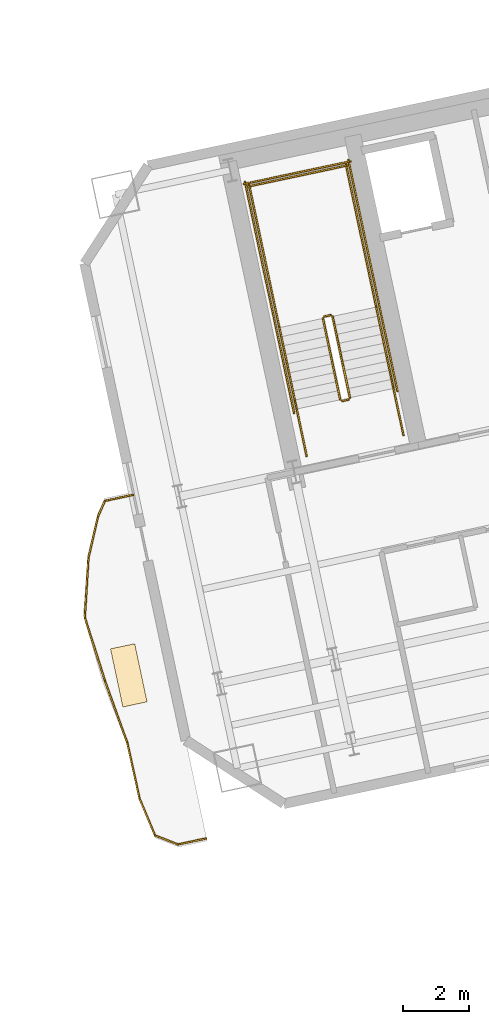
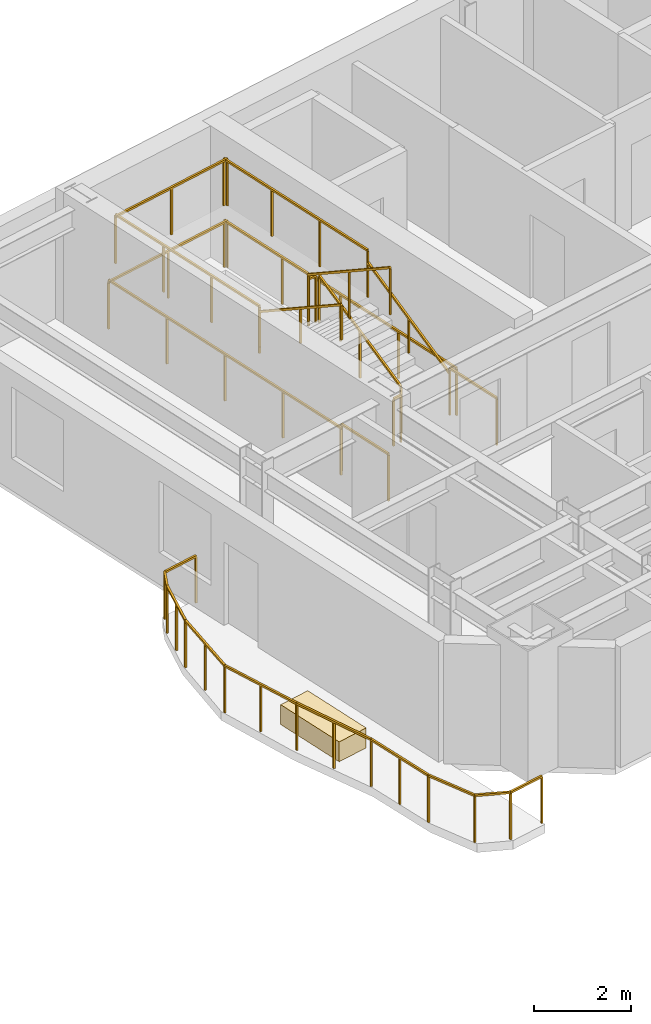
# One storey, part 12 of 13: 24 railings, 1 covering.
"""IFC4 building model written with IfcOpenShell, lengths in metres."""

from ifc_helpers import new_model, si_unit, direction, frame, origin, origin_2d, place, context, subcontext, project, spatial, rectangle, extrude, material, layer, layer_set, type_object, element, save


model = new_model("IFC4")

# Units and contexts
model_context = context("Model", 3, precision=1e-05, world=origin(), true_north=direction((0.0, 1.0)))
body_context = subcontext(model_context, "Body", "Model", "MODEL_VIEW")
ifc_project = project(units=[si_unit("LENGTHUNIT", "METRE"), si_unit("AREAUNIT", "SQUARE_METRE"), si_unit("VOLUMEUNIT", "CUBIC_METRE"), si_unit("PLANEANGLEUNIT", "RADIAN"), si_unit("MASSUNIT", "GRAM", prefix="KILO")], contexts=[model_context])

# Site, building, storey
site_placement = place(None, origin())
site = spatial("IfcSite", under=ifc_project, at=site_placement, CompositionType="ELEMENT")
building_placement = place(site_placement, origin())
building = spatial("IfcBuilding", under=site, at=building_placement, Name="Haevon Station Towers", CompositionType="ELEMENT")
storey_placement = place(building_placement, frame((0.0, 0.0, 182.39990234375)))
storey = spatial("IfcBuildingStorey", under=building, at=storey_placement, Name="L50", CompositionType="ELEMENT", Elevation=182.39990234375)

# Railings
ifc_material_1 = material(Name="Steel S355", Category="steel")
railing_type_1 = type_object("IfcRailingType", Name="GRD-EXT1200", PredefinedType="GUARDRAIL", material=ifc_material_1)
railing_1_placement = place(storey_placement, frame((93.866455078125, 36.74853515625, 0.0)))
element("IfcRailing", 1, at=railing_1_placement, inside=storey, type_object=railing_type_1, Name="L50 Perimeter Guardrail 1", PredefinedType="GUARDRAIL", context=body_context, shape_type="SweptSolid", body=[
    extrude(rectangle(XDim=0.048095703125, YDim=0.048095703125, at=origin_2d()), frame((0.0, 0.0, 1.17578125), z_axis=(-0.977695451476, -0.210027627141, 0.0), x_axis=(0.210027627141, -0.977695451476, 0.0)), (0.0, 0.0, 1.0), 0.869384765625),
    extrude(rectangle(XDim=0.0419921875, YDim=0.0419921875, at=origin_2d()), origin(), (0.0, 0.0, 1.0), 1.15185546875),
    extrude(rectangle(XDim=0.0419921875, YDim=0.0419921875, at=origin_2d()), frame((-0.85009765625, -0.1826171875, 0.0)), (0.0, 0.0, 1.0), 1.15185546875),
])
railing_2_placement = place(storey_placement, frame((93.016357421875, 36.56591796875, 0.0)))
element("IfcRailing", 2, at=railing_2_placement, inside=storey, type_object=railing_type_1, Name="L50 Perimeter Guardrail 2", PredefinedType="GUARDRAIL", context=body_context, shape_type="SweptSolid", body=[
    extrude(rectangle(XDim=0.048095703125, YDim=0.048095703125, at=origin_2d()), frame((0.0, 0.0, 1.17578125), z_axis=(-0.406806804169, -0.913514216683, 0.0), x_axis=(0.913514216683, -0.406806804169, 0.0)), (0.0, 0.0, 1.0), 0.50830078125),
    extrude(rectangle(XDim=0.0419921875, YDim=0.0419921875, at=origin_2d()), origin(), (0.0, 0.0, 1.0), 1.15185546875),
    extrude(rectangle(XDim=0.0419921875, YDim=0.0419921875, at=origin_2d()), frame((-0.206787109375, -0.46435546875, 0.0)), (0.0, 0.0, 1.0), 1.15185546875),
])
railing_3_placement = place(storey_placement, frame((92.8095703125, 36.1015625, 0.0)))
element("IfcRailing", 3, at=railing_3_placement, inside=storey, type_object=railing_type_1, Name="L50 Perimeter Guardrail 3", PredefinedType="GUARDRAIL", context=body_context, shape_type="SweptSolid", body=[
    extrude(rectangle(XDim=0.048095703125, YDim=0.048095703125, at=origin_2d()), frame((0.0, 0.0, 1.17578125), z_axis=(-0.225867086442, -0.974158128469, 0.0), x_axis=(0.974158128469, -0.225867086442, 0.0)), (0.0, 0.0, 1.0), 1.291748046875),
    extrude(rectangle(XDim=0.0419921875, YDim=0.0419921875, at=origin_2d()), origin(), (0.0, 0.0, 1.0), 1.15185546875),
    extrude(rectangle(XDim=0.0419921875, YDim=0.0419921875, at=origin_2d()), frame((-0.14599609375, -0.629150390625, 0.0)), (0.0, 0.0, 1.0), 1.15185546875),
    extrude(rectangle(XDim=0.0419921875, YDim=0.0419921875, at=origin_2d()), frame((-0.291748046875, -1.25830078125, 0.0)), (0.0, 0.0, 1.0), 1.15185546875),
])
railing_4_placement = place(storey_placement, frame((92.517822265625, 34.84326171875, 0.0)))
element("IfcRailing", 4, at=railing_4_placement, inside=storey, type_object=railing_type_1, Name="L50 Perimeter Guardrail 4", PredefinedType="GUARDRAIL", context=body_context, shape_type="SweptSolid", body=[
    extrude(rectangle(XDim=0.048095703125, YDim=0.048095703125, at=origin_2d()), frame((0.0, 0.0, 1.17578125), z_axis=(-0.060153002189, -0.998189168609, 0.0), x_axis=(0.998189168609, -0.060153002189, 0.0)), (0.0, 0.0, 1.0), 1.81005859375),
    extrude(rectangle(XDim=0.0419921875, YDim=0.0419921875, at=origin_2d()), origin(), (0.0, 0.0, 1.0), 1.15185546875),
    extrude(rectangle(XDim=0.0419921875, YDim=0.0419921875, at=origin_2d()), frame((-0.054443359375, -0.9033203125, 0.0)), (0.0, 0.0, 1.0), 1.15185546875),
    extrude(rectangle(XDim=0.0419921875, YDim=0.0419921875, at=origin_2d()), frame((-0.10888671875, -1.806884765625, 0.0)), (0.0, 0.0, 1.0), 1.15185546875),
])
railing_5_placement = place(storey_placement, frame((92.408935546875, 33.036376953125, 0.0)))
element("IfcRailing", 5, at=railing_5_placement, inside=storey, type_object=railing_type_1, Name="L50 Perimeter Guardrail 5", PredefinedType="GUARDRAIL", context=body_context, shape_type="SweptSolid", body=[
    extrude(rectangle(XDim=0.048095703125, YDim=0.048095703125, at=origin_2d()), frame((0.0, 0.0, 1.17578125), z_axis=(0.302524668593, -0.953141555538, 0.0), x_axis=(0.953141555538, 0.302524668593, 0.0)), (0.0, 0.0, 1.0), 2.00390625),
    extrude(rectangle(XDim=0.0419921875, YDim=0.0419921875, at=origin_2d()), origin(), (0.0, 0.0, 1.0), 1.15185546875),
    extrude(rectangle(XDim=0.0419921875, YDim=0.0419921875, at=origin_2d()), frame((0.30322265625, -0.955078125, 0.0)), (0.0, 0.0, 1.0), 1.15185546875),
    extrude(rectangle(XDim=0.0419921875, YDim=0.0419921875, at=origin_2d()), frame((0.606201171875, -1.909912109375, 0.0)), (0.0, 0.0, 1.0), 1.15185546875),
])
railing_6_placement = place(storey_placement, frame((93.01513671875, 31.12646484375, 0.0)))
element("IfcRailing", 6, at=railing_6_placement, inside=storey, type_object=railing_type_1, Name="L50 Perimeter Guardrail 6", PredefinedType="GUARDRAIL", context=body_context, shape_type="SweptSolid", body=[
    extrude(rectangle(XDim=0.048095703125, YDim=0.048095703125, at=origin_2d()), frame((0.0, 0.0, 1.17578125), z_axis=(0.339339589496, -0.940663937334, 0.0), x_axis=(0.940663937334, 0.339339589496, 0.0)), (0.0, 0.0, 1.0), 2.00732421875),
    extrude(rectangle(XDim=0.0419921875, YDim=0.0419921875, at=origin_2d()), origin(), (0.0, 0.0, 1.0), 1.15185546875),
    extrude(rectangle(XDim=0.0419921875, YDim=0.0419921875, at=origin_2d()), frame((0.340576171875, -0.944091796875, 0.0)), (0.0, 0.0, 1.0), 1.15185546875),
    extrude(rectangle(XDim=0.0419921875, YDim=0.0419921875, at=origin_2d()), frame((0.68115234375, -1.88818359375, 0.0)), (0.0, 0.0, 1.0), 1.15185546875),
])
railing_7_placement = place(storey_placement, frame((93.6962890625, 29.23828125, 0.0)))
element("IfcRailing", 7, at=railing_7_placement, inside=storey, type_object=railing_type_1, Name="L50 Perimeter Guardrail 7", PredefinedType="GUARDRAIL", context=body_context, shape_type="SweptSolid", body=[
    extrude(rectangle(XDim=0.048095703125, YDim=0.048095703125, at=origin_2d()), frame((0.0, 0.0, 1.17578125), z_axis=(0.215069312973, -0.976598786922, 0.0), x_axis=(0.976598786922, 0.215069312973, 0.0)), (0.0, 0.0, 1.0), 1.75048828125),
    extrude(rectangle(XDim=0.0419921875, YDim=0.0419921875, at=origin_2d()), origin(), (0.0, 0.0, 1.0), 1.15185546875),
    extrude(rectangle(XDim=0.0419921875, YDim=0.0419921875, at=origin_2d()), frame((0.188232421875, -0.854736328125, 0.0)), (0.0, 0.0, 1.0), 1.15185546875),
    extrude(rectangle(XDim=0.0419921875, YDim=0.0419921875, at=origin_2d()), frame((0.37646484375, -1.70947265625, 0.0)), (0.0, 0.0, 1.0), 1.15185546875),
])
railing_8_placement = place(storey_placement, frame((94.07275390625, 27.52880859375, 0.0)))
element("IfcRailing", 8, at=railing_8_placement, inside=storey, type_object=railing_type_1, Name="L50 Perimeter Guardrail 8", PredefinedType="GUARDRAIL", context=body_context, shape_type="SweptSolid", body=[
    extrude(rectangle(XDim=0.048095703125, YDim=0.048095703125, at=origin_2d()), frame((0.0, 0.0, 1.17578125), z_axis=(0.389860525795, -0.920873916683, 0.0), x_axis=(0.920873916683, 0.389860525795, 0.0)), (0.0, 0.0, 1.0), 1.191650390625),
    extrude(rectangle(XDim=0.0419921875, YDim=0.0419921875, at=origin_2d()), origin(), (0.0, 0.0, 1.0), 1.15185546875),
    extrude(rectangle(XDim=0.0419921875, YDim=0.0419921875, at=origin_2d()), frame((0.464599609375, -1.097412109375, 0.0)), (0.0, 0.0, 1.0), 1.15185546875),
])
railing_9_placement = place(storey_placement, frame((94.537353515625, 26.431396484375, 0.0)))
element("IfcRailing", 9, at=railing_9_placement, inside=storey, type_object=railing_type_1, Name="L50 Perimeter Guardrail 9", PredefinedType="GUARDRAIL", context=body_context, shape_type="SweptSolid", body=[
    extrude(rectangle(XDim=0.048095703125, YDim=0.048095703125, at=origin_2d()), frame((0.0, 0.0, 1.17578125), z_axis=(0.929918939499, -0.367764552344, 0.0), x_axis=(0.367764552344, 0.929918939499, 0.0)), (0.0, 0.0, 1.0), 0.743408203125),
    extrude(rectangle(XDim=0.0419921875, YDim=0.0419921875, at=origin_2d()), origin(), (0.0, 0.0, 1.0), 1.15185546875),
    extrude(rectangle(XDim=0.0419921875, YDim=0.0419921875, at=origin_2d()), frame((0.69140625, -0.2734375, 0.0)), (0.0, 0.0, 1.0), 1.15185546875),
])
railing_10_placement = place(storey_placement, frame((95.228759765625, 26.157958984375, 0.0)))
element("IfcRailing", 10, at=railing_10_placement, inside=storey, type_object=railing_type_1, Name="L50 Perimeter Guardrail 10", PredefinedType="GUARDRAIL", context=body_context, shape_type="SweptSolid", body=[
    extrude(rectangle(XDim=0.048095703125, YDim=0.048095703125, at=origin_2d()), frame((0.0, 0.0, 1.17578125), z_axis=(0.978588498747, 0.205826504901, 0.0), x_axis=(-0.205826504901, 0.978588498747, 0.0)), (0.0, 0.0, 1.0), 0.869384765625),
    extrude(rectangle(XDim=0.0419921875, YDim=0.0419921875, at=origin_2d()), origin(), (0.0, 0.0, 1.0), 1.15185546875),
    extrude(rectangle(XDim=0.0419921875, YDim=0.0419921875, at=origin_2d()), frame((0.850830078125, 0.178955078125, 0.0)), (0.0, 0.0, 1.0), 1.15185546875),
])
railing_type_2 = type_object("IfcRailingType", Name="GRD-STR1200", PredefinedType="GUARDRAIL", material=ifc_material_1)
railing_11_placement = place(storey_placement, frame((100.44140625, 39.69287109375, 0.1650390625)))
element("IfcRailing", 11, at=railing_11_placement, inside=storey, type_object=railing_type_2, Name="L50 ST3 Stair Guard 1", PredefinedType="GUARDRAIL", context=body_context, shape_type="SweptSolid", body=[
    extrude(rectangle(XDim=0.048095703125, YDim=0.048095703125, at=origin_2d()), frame((0.0, 0.0, 1.17578125), z_axis=(-0.179121265225, 0.842687928106, 0.507732831485), x_axis=(-0.978147030254, -0.207914374695, 0.0)), (0.0, 0.0, 1.0), 2.925048828125),
    extrude(rectangle(XDim=0.0419921875, YDim=0.0419921875, at=origin_2d()), origin(), (0.0, 0.0, 1.0), 1.15185546875),
    extrude(rectangle(XDim=0.0419921875, YDim=0.0419921875, at=origin_2d()), frame((-0.261962890625, 1.232421875, 0.74267578125)), (0.0, 0.0, 1.0), 1.15185546875),
    extrude(rectangle(XDim=0.0419921875, YDim=0.0419921875, at=origin_2d()), frame((-0.52392578125, 2.46484375, 1.485107421875)), (0.0, 0.0, 1.0), 1.15185546875),
])
railing_12_placement = place(storey_placement, frame((99.858154296875, 42.1962890625, 1.650146484375)))
element("IfcRailing", 12, at=railing_12_placement, inside=storey, type_object=railing_type_2, Name="L50 ST3 Stair Guard 2", PredefinedType="GUARDRAIL", context=body_context, shape_type="SweptSolid", body=[
    extrude(rectangle(XDim=0.048095703125, YDim=0.048095703125, at=origin_2d()), frame((0.0, 0.0, 1.17578125), z_axis=(-0.977962931203, -0.208778603291, 0.0), x_axis=(0.208778603291, -0.977962931203, 0.0)), (0.0, 0.0, 1.0), 0.199951171875),
    extrude(rectangle(XDim=0.0419921875, YDim=0.0419921875, at=origin_2d()), origin(), (0.0, 0.0, 1.0), 1.15185546875),
    extrude(rectangle(XDim=0.0419921875, YDim=0.0419921875, at=origin_2d()), frame((-0.195556640625, -0.041748046875, 0.0)), (0.0, 0.0, 1.0), 1.15185546875),
])
railing_13_placement = place(storey_placement, frame((101.238037109375, 42.4384765625, 1.650146484375)))
element("IfcRailing", 13, at=railing_13_placement, inside=storey, type_object=railing_type_2, Name="L50 ST3 Stair Guard 3", PredefinedType="GUARDRAIL", context=body_context, shape_type="SweptSolid", body=[
    extrude(rectangle(XDim=0.048095703125, YDim=0.048095703125, at=origin_2d()), frame((0.0, 0.0, 1.17578125), z_axis=(-0.20794048909, 0.978141479029, 0.0), x_axis=(-0.978141479029, -0.20794048909, 0.0)), (0.0, 0.0, 1.0), 4.429931640625),
    extrude(rectangle(XDim=0.0419921875, YDim=0.0419921875, at=origin_2d()), origin(), (0.0, 0.0, 1.0), 1.15185546875),
    extrude(rectangle(XDim=0.0419921875, YDim=0.0419921875, at=origin_2d()), frame((-0.30712890625, 1.4443359375, 0.0)), (0.0, 0.0, 1.0), 1.15185546875),
    extrude(rectangle(XDim=0.0419921875, YDim=0.0419921875, at=origin_2d()), frame((-0.614013671875, 2.888671875, 0.0)), (0.0, 0.0, 1.0), 1.15185546875),
    extrude(rectangle(XDim=0.0419921875, YDim=0.0419921875, at=origin_2d()), frame((-0.921142578125, 4.3330078125, 0.0)), (0.0, 0.0, 1.0), 1.15185546875),
])
railing_14_placement = place(storey_placement, frame((98.303466796875, 41.814697265625, 1.650146484375)))
element("IfcRailing", 14, at=railing_14_placement, inside=storey, type_object=railing_type_2, Name="L50 ST3 Stair Guard 4", PredefinedType="GUARDRAIL", context=body_context, shape_type="SweptSolid", body=[
    extrude(rectangle(XDim=0.048095703125, YDim=0.048095703125, at=origin_2d()), frame((0.0, 0.0, 1.17578125), z_axis=(-0.207876551949, 0.978155069071, 0.0), x_axis=(-0.978155069071, -0.207876551949, 0.0)), (0.0, 0.0, 1.0), 4.429931640625),
    extrude(rectangle(XDim=0.0419921875, YDim=0.0419921875, at=origin_2d()), origin(), (0.0, 0.0, 1.0), 1.15185546875),
    extrude(rectangle(XDim=0.0419921875, YDim=0.0419921875, at=origin_2d()), frame((-0.306884765625, 1.4443359375, 0.0)), (0.0, 0.0, 1.0), 1.15185546875),
    extrude(rectangle(XDim=0.0419921875, YDim=0.0419921875, at=origin_2d()), frame((-0.614013671875, 2.888916015625, 0.0)), (0.0, 0.0, 1.0), 1.15185546875),
    extrude(rectangle(XDim=0.0419921875, YDim=0.0419921875, at=origin_2d()), frame((-0.9208984375, 4.333251953125, 0.0)), (0.0, 0.0, 1.0), 1.15185546875),
])
railing_15_placement = place(storey_placement, frame((100.376220703125, 46.733154296875, 1.650146484375)))
element("IfcRailing", 15, at=railing_15_placement, inside=storey, type_object=railing_type_2, Name="L50 ST3 Stair Guard 5", PredefinedType="GUARDRAIL", context=body_context, shape_type="SweptSolid", body=[
    extrude(rectangle(XDim=0.048095703125, YDim=0.048095703125, at=origin_2d()), frame((0.0, 0.0, 1.17578125), z_axis=(-0.978146839882, -0.207915270313, 0.0), x_axis=(0.207915270313, -0.978146839882, 0.0)), (0.0, 0.0, 1.0), 3.099853515625),
    extrude(rectangle(XDim=0.0419921875, YDim=0.0419921875, at=origin_2d()), origin(), (0.0, 0.0, 1.0), 1.15185546875),
    extrude(rectangle(XDim=0.0419921875, YDim=0.0419921875, at=origin_2d()), frame((-1.51611328125, -0.322265625, 0.0)), (0.0, 0.0, 1.0), 1.15185546875),
    extrude(rectangle(XDim=0.0419921875, YDim=0.0419921875, at=origin_2d()), frame((-3.0322265625, -0.64453125, 0.0)), (0.0, 0.0, 1.0), 1.15185546875),
])
railing_16_placement = place(storey_placement, frame((99.6240234375, 42.09521484375, 1.815185546875)))
element("IfcRailing", 16, at=railing_16_placement, inside=storey, type_object=railing_type_2, Name="L50 ST3 Stair Guard 6", PredefinedType="GUARDRAIL", context=body_context, shape_type="SweptSolid", body=[
    extrude(rectangle(XDim=0.048095703125, YDim=0.048095703125, at=origin_2d()), frame((0.0, 0.0, 1.17578125), z_axis=(0.179128856099, -0.842723639875, 0.507670877349), x_axis=(0.978147030254, 0.207914374695, 0.0)), (0.0, 0.0, 1.0), 2.9248046875),
    extrude(rectangle(XDim=0.0419921875, YDim=0.0419921875, at=origin_2d()), origin(), (0.0, 0.0, 1.0), 1.15185546875),
    extrude(rectangle(XDim=0.0419921875, YDim=0.0419921875, at=origin_2d()), frame((0.261962890625, -1.232421875, 0.742431640625)), (0.0, 0.0, 1.0), 1.15185546875),
    extrude(rectangle(XDim=0.0419921875, YDim=0.0419921875, at=origin_2d()), frame((0.52392578125, -2.46484375, 1.48486328125)), (0.0, 0.0, 1.0), 1.15185546875),
])
railing_17_placement = place(storey_placement, frame((100.40283203125, 39.633544921875, 0.0)))
element("IfcRailing", 17, at=railing_17_placement, inside=storey, type_object=railing_type_2, Name="L50 ST3 Stair Guard 7", PredefinedType="GUARDRAIL", context=body_context, shape_type="SweptSolid", body=[
    extrude(rectangle(XDim=0.048095703125, YDim=0.048095703125, at=origin_2d()), frame((0.0, 0.0, 1.17578125), z_axis=(-0.977962931203, -0.208778603291, 0.0), x_axis=(0.208778603291, -0.977962931203, 0.0)), (0.0, 0.0, 1.0), 0.199951171875),
    extrude(rectangle(XDim=0.0419921875, YDim=0.0419921875, at=origin_2d()), origin(), (0.0, 0.0, 1.0), 1.15185546875),
    extrude(rectangle(XDim=0.0419921875, YDim=0.0419921875, at=origin_2d()), frame((-0.195556640625, -0.041748046875, 0.0)), (0.0, 0.0, 1.0), 1.15185546875),
])
for number, where, name in (
    (18, (102.0634765625, 38.55517578125, 0.0), "L50 ST3 Stair Guard 8"),
    (19, (99.12890625, 37.931396484375, 0.0), "L50 ST3 Stair Guard 9"),
):
    element("IfcRailing", number, at=place(storey_placement, frame(where)), inside=storey, type_object=railing_type_2, Name=name, PredefinedType="GUARDRAIL", context=body_context, shape_type="SweptSolid", body=[
        extrude(rectangle(XDim=0.048095703125, YDim=0.048095703125, at=origin_2d()), frame((0.0, 0.0, 1.17578125), z_axis=(-0.207953405961, 0.978138732977, 0.0), x_axis=(-0.978138732977, -0.207953405961, 0.0)), (0.0, 0.0, 1.0), 1.449951171875),
        extrude(rectangle(XDim=0.0419921875, YDim=0.0419921875, at=origin_2d()), origin(), (0.0, 0.0, 1.0), 1.15185546875),
        extrude(rectangle(XDim=0.0419921875, YDim=0.0419921875, at=origin_2d()), frame((-0.301513671875, 1.418212890625, 0.0)), (0.0, 0.0, 1.0), 1.15185546875),
    ])
railing_18_placement = place(storey_placement, frame((101.88037109375, 39.896484375, 0.0)))
element("IfcRailing", 20, at=railing_18_placement, inside=storey, type_object=railing_type_2, Name="L50 ST3 Stair Guard 10", PredefinedType="GUARDRAIL", context=body_context, shape_type="SweptSolid", body=[
    extrude(rectangle(XDim=0.048095703125, YDim=0.048095703125, at=origin_2d()), frame((0.0, 0.0, 1.17578125), z_axis=(-0.207882442208, 0.978153817261, 0.0), x_axis=(-0.978153817261, -0.207882442208, 0.0)), (0.0, 0.0, 1.0), 7.14990234375),
    extrude(rectangle(XDim=0.0419921875, YDim=0.0419921875, at=origin_2d()), origin(), (0.0, 0.0, 1.0), 1.15185546875),
    extrude(rectangle(XDim=0.0419921875, YDim=0.0419921875, at=origin_2d()), frame((-0.37158203125, 1.74853515625, 0.0)), (0.0, 0.0, 1.0), 1.15185546875),
    extrude(rectangle(XDim=0.0419921875, YDim=0.0419921875, at=origin_2d()), frame((-0.7431640625, 3.496826171875, 0.0)), (0.0, 0.0, 1.0), 1.15185546875),
    extrude(rectangle(XDim=0.0419921875, YDim=0.0419921875, at=origin_2d()), frame((-1.11474609375, 5.2451171875, 0.0)), (0.0, 0.0, 1.0), 1.15185546875),
    extrude(rectangle(XDim=0.0419921875, YDim=0.0419921875, at=origin_2d()), frame((-1.486328125, 6.99365234375, 0.0)), (0.0, 0.0, 1.0), 1.15185546875),
])
railing_19_placement = place(storey_placement, frame((98.75048828125, 39.231201171875, 0.0)))
element("IfcRailing", 21, at=railing_19_placement, inside=storey, type_object=railing_type_2, Name="L50 ST3 Stair Guard 11", PredefinedType="GUARDRAIL", context=body_context, shape_type="SweptSolid", body=[
    extrude(rectangle(XDim=0.048095703125, YDim=0.048095703125, at=origin_2d()), frame((0.0, 0.0, 1.17578125), z_axis=(-0.207915112487, 0.978146873429, 0.0), x_axis=(-0.978146873429, -0.207915112487, 0.0)), (0.0, 0.0, 1.0), 7.14990234375),
    extrude(rectangle(XDim=0.0419921875, YDim=0.0419921875, at=origin_2d()), origin(), (0.0, 0.0, 1.0), 1.15185546875),
    extrude(rectangle(XDim=0.0419921875, YDim=0.0419921875, at=origin_2d()), frame((-0.37158203125, 1.74853515625, 0.0)), (0.0, 0.0, 1.0), 1.15185546875),
    extrude(rectangle(XDim=0.0419921875, YDim=0.0419921875, at=origin_2d()), frame((-0.7431640625, 3.496826171875, 0.0)), (0.0, 0.0, 1.0), 1.15185546875),
    extrude(rectangle(XDim=0.0419921875, YDim=0.0419921875, at=origin_2d()), frame((-1.114990234375, 5.2451171875, 0.0)), (0.0, 0.0, 1.0), 1.15185546875),
    extrude(rectangle(XDim=0.0419921875, YDim=0.0419921875, at=origin_2d()), frame((-1.486572265625, 6.99365234375, 0.0)), (0.0, 0.0, 1.0), 1.15185546875),
])
railing_20_placement = place(storey_placement, frame((100.453125, 46.8515625, 0.0)))
element("IfcRailing", 22, at=railing_20_placement, inside=storey, type_object=railing_type_2, Name="L50 ST3 Stair Guard 12", PredefinedType="GUARDRAIL", context=body_context, shape_type="SweptSolid", body=[
    extrude(rectangle(XDim=0.048095703125, YDim=0.048095703125, at=origin_2d()), frame((0.0, 0.0, 1.17578125), z_axis=(-0.978150764849, -0.207896804268, 0.0), x_axis=(0.207896804268, -0.978150764849, 0.0)), (0.0, 0.0, 1.0), 3.2998046875),
    extrude(rectangle(XDim=0.0419921875, YDim=0.0419921875, at=origin_2d()), origin(), (0.0, 0.0, 1.0), 1.15185546875),
    extrude(rectangle(XDim=0.0419921875, YDim=0.0419921875, at=origin_2d()), frame((-1.61376953125, -0.343017578125, 0.0)), (0.0, 0.0, 1.0), 1.15185546875),
    extrude(rectangle(XDim=0.0419921875, YDim=0.0419921875, at=origin_2d()), frame((-3.227783203125, -0.68603515625, 0.0)), (0.0, 0.0, 1.0), 1.15185546875),
])
railing_type_3 = type_object("IfcRailingType", Name="HND-STR900", PredefinedType="HANDRAIL", material=ifc_material_1)
railing_21_placement = place(storey_placement, frame((101.761962890625, 39.973388671875, 0.1650390625)))
element("IfcRailing", 23, at=railing_21_placement, inside=storey, type_object=railing_type_3, Name="L50 ST3 Stair Handrail 1", PredefinedType="HANDRAIL", context=body_context, shape_type="SweptSolid", body=[
    extrude(rectangle(XDim=0.048095703125, YDim=0.048095703125, at=origin_2d()), frame((0.0, 0.0, 0.8759765625), z_axis=(-0.179108667068, 0.842712120868, 0.50769712105), x_axis=(-0.978151217824, -0.207894673017, 0.0)), (0.0, 0.0, 1.0), 2.92529296875),
    extrude(rectangle(XDim=0.0419921875, YDim=0.0419921875, at=origin_2d()), origin(), (0.0, 0.0, 1.0), 0.851806640625),
    extrude(rectangle(XDim=0.0419921875, YDim=0.0419921875, at=origin_2d()), frame((-0.261962890625, 1.232421875, 0.74267578125)), (0.0, 0.0, 1.0), 0.851806640625),
    extrude(rectangle(XDim=0.0419921875, YDim=0.0419921875, at=origin_2d()), frame((-0.52392578125, 2.465087890625, 1.485107421875)), (0.0, 0.0, 1.0), 0.851806640625),
])
railing_22_placement = place(storey_placement, frame((98.303466796875, 41.814697265625, 1.815185546875)))
element("IfcRailing", 24, at=railing_22_placement, inside=storey, type_object=railing_type_3, Name="L50 ST3 Stair Handrail 2", PredefinedType="HANDRAIL", context=body_context, shape_type="SweptSolid", body=[
    extrude(rectangle(XDim=0.048095703125, YDim=0.048095703125, at=origin_2d()), frame((0.0, 0.0, 0.8759765625), z_axis=(0.179116256339, -0.842747828638, 0.507635168246), x_axis=(0.978151217824, 0.207894673017, 0.0)), (0.0, 0.0, 1.0), 2.925048828125),
    extrude(rectangle(XDim=0.0419921875, YDim=0.0419921875, at=origin_2d()), origin(), (0.0, 0.0, 1.0), 0.851806640625),
    extrude(rectangle(XDim=0.0419921875, YDim=0.0419921875, at=origin_2d()), frame((0.261962890625, -1.232421875, 0.742431640625)), (0.0, 0.0, 1.0), 0.851806640625),
    extrude(rectangle(XDim=0.0419921875, YDim=0.0419921875, at=origin_2d()), frame((0.52392578125, -2.465087890625, 1.48486328125)), (0.0, 0.0, 1.0), 0.851806640625),
])

# Covering
ifc_material_2 = material(Name="Architectural planter GRC", Category="concrete")
ifc_layer = layer(ifc_material_2, 0.550048828125)
ifc_layer_set = layer_set([ifc_layer], Name="Architectural planter GRC")
covering_type = type_object("IfcCoveringType", Name="PLN-GRC550", PredefinedType="MOLDING", material=ifc_layer_set)
covering_placement = place(storey_placement, frame((93.74072265625, 31.28076171875, 0.0), z_axis=(0.0, 0.0, 1.0), x_axis=(0.978147600734, 0.207911690818, 0.0)))
element("IfcCovering", 25, at=covering_placement, inside=storey, type_object=covering_type, Name="Tower 2 L50 Scalloped Balcony PLANTER", PredefinedType="MOLDING", context=body_context, shape_type="SweptSolid", body=[
    extrude(rectangle(XDim=0.75, YDim=1.800048828125, at=origin_2d()), origin(), (0.0, 0.0, 1.0), 0.5),
])

save(model, "model.ifc")
